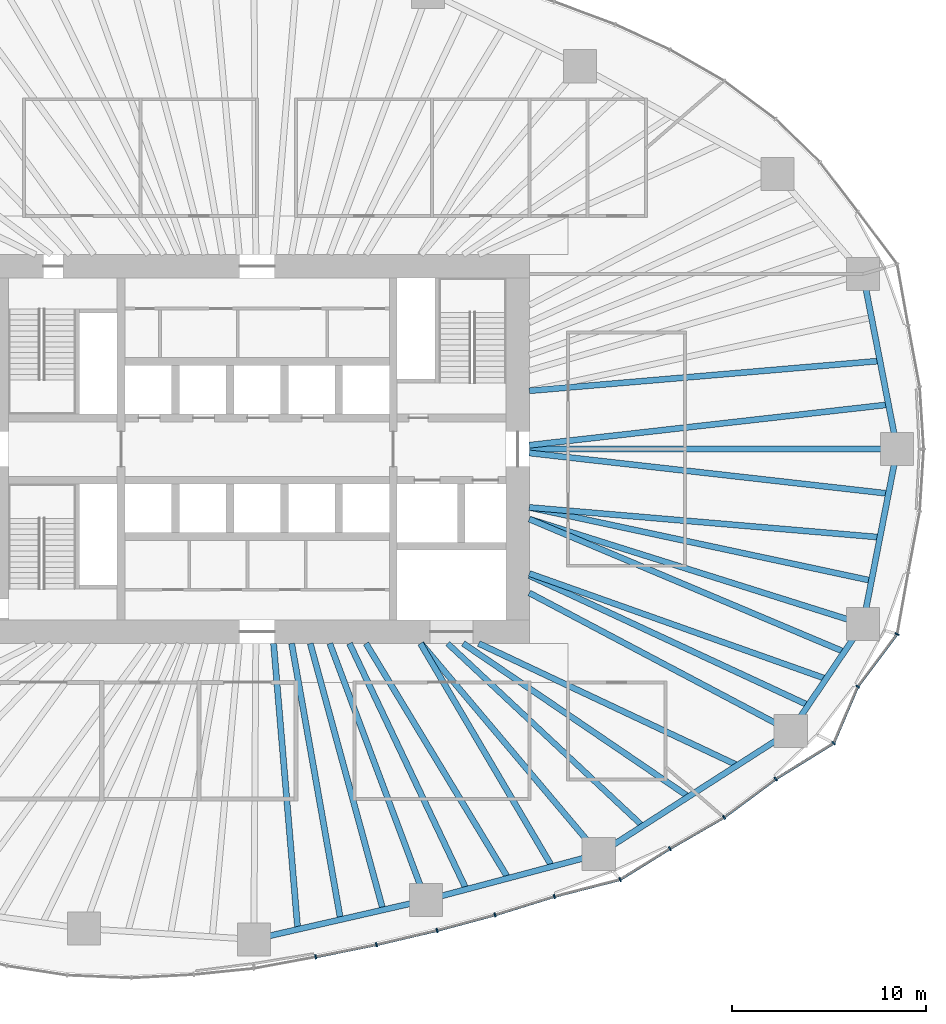
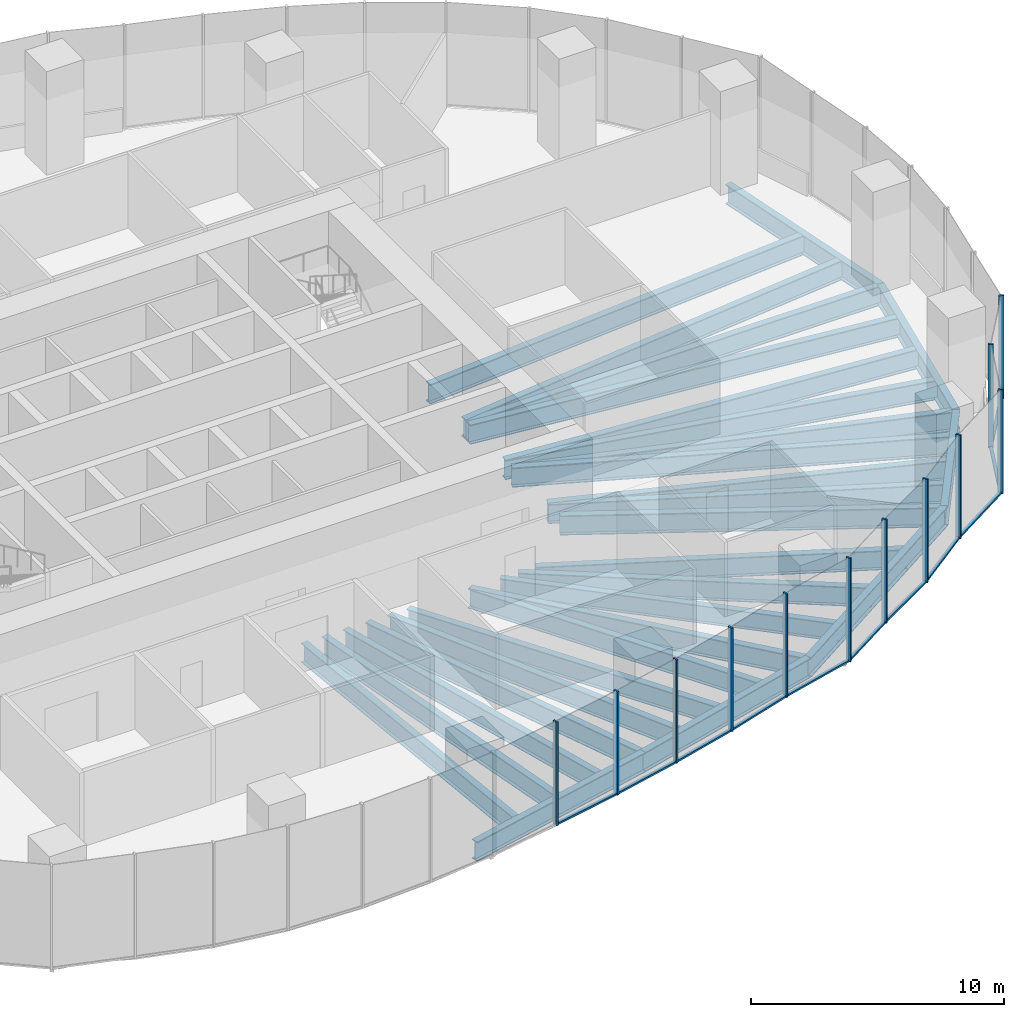
# One storey, part 4 of 19: 28 beams, 23 members, 5 elements without a shape of their own.
"""IFC4 building model written with IfcOpenShell, lengths in metres."""

from ifc_helpers import new_model, si_unit, direction, frame, origin, origin_2d, place, context, subcontext, project, spatial, rectangle, i_section, extrude, material, material_profile, profile_set, type_object, element, aggregate, save


model = new_model("IFC4")

# Units and contexts
model_context = context("Model", 3, precision=1e-05, world=origin(), true_north=direction((0.0, 1.0)))
body_context = subcontext(model_context, "Body", "Model", "MODEL_VIEW")
ifc_project = project(units=[si_unit("LENGTHUNIT", "METRE"), si_unit("AREAUNIT", "SQUARE_METRE"), si_unit("VOLUMEUNIT", "CUBIC_METRE"), si_unit("PLANEANGLEUNIT", "RADIAN"), si_unit("MASSUNIT", "GRAM", prefix="KILO")], contexts=[model_context])

# Site, building, storey
site_placement = place(None, origin())
site = spatial("IfcSite", under=ifc_project, at=site_placement, CompositionType="ELEMENT")
building_placement = place(site_placement, origin())
building = spatial("IfcBuilding", under=site, at=building_placement, Name="Ghaith Harvest Tower", CompositionType="ELEMENT")
storey_placement = place(building_placement, frame((0.0, 0.0, 70.0)))
storey = spatial("IfcBuildingStorey", under=building, at=storey_placement, Name="L14", CompositionType="ELEMENT", Elevation=70.0)

# Curtain wall, members
ifc_material_1 = material(Name="Black anodised aluminium and fritted glass", Category="aluminium")
curtain_wall_type = type_object("IfcCurtainWallType", Name="CW-F CURTAIN WALL", PredefinedType="NOTDEFINED", material=ifc_material_1)
curtain_wall_1_placement = place(storey_placement, origin())
curtain_wall_1 = element("IfcCurtainWall", 1, at=curtain_wall_1_placement, inside=storey, type_object=curtain_wall_type, Name="Curtain wall CW-F bay 16 L14", PredefinedType="NOTDEFINED")
ifc_material_2 = material(Name="Aluminium, black anodised", Category="aluminium")
ifc_material_profile_1 = material_profile(ifc_material_2, rectangle(XDim=0.080078125, YDim=0.219970703125, at=origin_2d()), Name="CW-F MULLION 80x220")
ifc_profile_set_1 = profile_set([ifc_material_profile_1], Name="Aluminium, black anodised")
member_type_1 = type_object("IfcMemberType", Name="CW-F MULLION 80x220", PredefinedType="MULLION", material=ifc_profile_set_1)
member_1_placement = place(storey_placement, frame((3.00927734375, -26.123291015625, 0.0), z_axis=(0.0, 0.0, 1.0), x_axis=(0.981818445714, 0.189822389762, 0.0)))
member_1 = element("IfcMember", 2, at=member_1_placement, type_object=member_type_1, Name="CW-F mullion 2 bay 16 L14", PredefinedType="MULLION", context=body_context, shape_type="SweptSolid", body=[
    extrude(rectangle(XDim=0.080078125, YDim=0.219970703125, at=origin_2d()), origin(), (0.0, 0.0, 1.0), 5.0),
])
member_2_placement = place(storey_placement, frame((6.136962890625, -25.495361328125, 0.0), z_axis=(0.0, 0.0, 1.0), x_axis=(0.977117973572, 0.212698062336, 0.0)))
member_2 = element("IfcMember", 3, at=member_2_placement, type_object=member_type_1, Name="CW-F mullion 3 bay 16 L14", PredefinedType="MULLION", context=body_context, shape_type="SweptSolid", body=[
    extrude(rectangle(XDim=0.080078125, YDim=0.219970703125, at=origin_2d()), origin(), (0.0, 0.0, 1.0), 5.0),
])

curtain_wall_2_placement = place(storey_placement, origin())
curtain_wall_2 = element("IfcCurtainWall", 4, at=curtain_wall_2_placement, inside=storey, type_object=curtain_wall_type, Name="Curtain wall CW-F bay 17 L14", PredefinedType="NOTDEFINED")
member_3_placement = place(storey_placement, frame((9.25732421875, -24.76318359375, 0.0), z_axis=(0.0, 0.0, 1.0), x_axis=(0.969903429248, 0.24348991341, 0.0)))
member_3 = element("IfcMember", 5, at=member_3_placement, type_object=member_type_1, Name="CW-F mullion 1 bay 17 L14", PredefinedType="MULLION", context=body_context, shape_type="SweptSolid", body=[
    extrude(rectangle(XDim=0.080078125, YDim=0.219970703125, at=origin_2d()), origin(), (0.0, 0.0, 1.0), 5.0),
])
member_4_placement = place(storey_placement, frame((12.234375, -23.964599609375, 0.0), z_axis=(0.0, 0.0, 1.0), x_axis=(0.960502189734, 0.278272426799, 0.0)))
member_4 = element("IfcMember", 6, at=member_4_placement, type_object=member_type_1, Name="CW-F mullion 2 bay 17 L14", PredefinedType="MULLION", context=body_context, shape_type="SweptSolid", body=[
    extrude(rectangle(XDim=0.080078125, YDim=0.219970703125, at=origin_2d()), origin(), (0.0, 0.0, 1.0), 5.0),
])
member_5_placement = place(storey_placement, frame((15.28759765625, -23.01611328125, 0.0), z_axis=(0.0, 0.0, 1.0), x_axis=(0.962313144018, 0.27194376781, 0.0)))
member_5 = element("IfcMember", 7, at=member_5_placement, type_object=member_type_1, Name="CW-F mullion 3 bay 17 L14", PredefinedType="MULLION", context=body_context, shape_type="SweptSolid", body=[
    extrude(rectangle(XDim=0.080078125, YDim=0.219970703125, at=origin_2d()), origin(), (0.0, 0.0, 1.0), 5.0),
])

curtain_wall_3_placement = place(storey_placement, origin())
curtain_wall_3 = element("IfcCurtainWall", 8, at=curtain_wall_3_placement, inside=storey, type_object=curtain_wall_type, Name="Curtain wall CW-F bay 18 L14", PredefinedType="NOTDEFINED")
member_6_placement = place(storey_placement, frame((18.674072265625, -22.144775390625, 0.0), z_axis=(0.0, 0.0, 1.0), x_axis=(0.923910199299, 0.382609387799, 0.0)))
member_6 = element("IfcMember", 9, at=member_6_placement, type_object=member_type_1, Name="CW-F mullion 1 bay 18 L14", PredefinedType="MULLION", context=body_context, shape_type="SweptSolid", body=[
    extrude(rectangle(XDim=0.080078125, YDim=0.219970703125, at=origin_2d()), origin(), (0.0, 0.0, 1.0), 5.0),
])
member_7_placement = place(storey_placement, frame((21.2353515625, -20.552978515625, 0.0), z_axis=(0.0, 0.0, 1.0), x_axis=(0.858140414942, 0.513415064293, 0.0)))
member_7 = element("IfcMember", 10, at=member_7_placement, type_object=member_type_1, Name="CW-F mullion 2 bay 18 L14", PredefinedType="MULLION", context=body_context, shape_type="SweptSolid", body=[
    extrude(rectangle(XDim=0.080078125, YDim=0.219970703125, at=origin_2d()), origin(), (0.0, 0.0, 1.0), 5.0),
])
member_8_placement = place(storey_placement, frame((24.018310546875, -18.947265625, 0.0), z_axis=(0.0, 0.0, 1.0), x_axis=(0.835443516838, 0.549576318788, 0.0)))
member_8 = element("IfcMember", 11, at=member_8_placement, type_object=member_type_1, Name="CW-F mullion 3 bay 18 L14", PredefinedType="MULLION", context=body_context, shape_type="SweptSolid", body=[
    extrude(rectangle(XDim=0.080078125, YDim=0.219970703125, at=origin_2d()), origin(), (0.0, 0.0, 1.0), 5.0),
])

curtain_wall_4_placement = place(storey_placement, origin())
curtain_wall_4 = element("IfcCurtainWall", 12, at=curtain_wall_4_placement, inside=storey, type_object=curtain_wall_type, Name="Curtain wall CW-F bay 19 L14", PredefinedType="NOTDEFINED")
member_9_placement = place(storey_placement, frame((26.673828125, -16.9755859375, 0.0), z_axis=(0.0, 0.0, 1.0), x_axis=(0.828002038115, 0.560725088504, 0.0)))
member_9 = element("IfcMember", 13, at=member_9_placement, type_object=member_type_1, Name="CW-F mullion 1 bay 19 L14", PredefinedType="MULLION", context=body_context, shape_type="SweptSolid", body=[
    extrude(rectangle(XDim=0.080078125, YDim=0.219970703125, at=origin_2d()), origin(), (0.0, 0.0, 1.0), 5.0),
])
member_10_placement = place(storey_placement, frame((29.659912109375, -15.126953125, 0.0), z_axis=(0.0, 0.0, 1.0), x_axis=(0.663604797505, 0.748083332743, 0.0)))
member_10 = element("IfcMember", 14, at=member_10_placement, type_object=member_type_1, Name="CW-F mullion 2 bay 19 L14", PredefinedType="MULLION", context=body_context, shape_type="SweptSolid", body=[
    extrude(rectangle(XDim=0.080078125, YDim=0.219970703125, at=origin_2d()), origin(), (0.0, 0.0, 1.0), 5.0),
])
member_11_placement = place(storey_placement, frame((30.896728515625, -12.215087890625, 0.0), z_axis=(0.0, 0.0, 1.0), x_axis=(0.5027946428, 0.864405892606, 0.0)))
member_11 = element("IfcMember", 15, at=member_11_placement, type_object=member_type_1, Name="CW-F mullion 3 bay 19 L14", PredefinedType="MULLION", context=body_context, shape_type="SweptSolid", body=[
    extrude(rectangle(XDim=0.080078125, YDim=0.219970703125, at=origin_2d()), origin(), (0.0, 0.0, 1.0), 5.0),
])

# Curtain wall, member
curtain_wall_5_placement = place(storey_placement, origin())
curtain_wall_5 = element("IfcCurtainWall", 16, at=curtain_wall_5_placement, inside=storey, type_object=curtain_wall_type, Name="Curtain wall CW-F bay 20 L14", PredefinedType="NOTDEFINED")
member_12_placement = place(storey_placement, frame((32.923583984375, -9.515625, 0.0), z_axis=(0.0, 0.0, 1.0), x_axis=(0.404701694001, 0.914448762301, 0.0)))
member_12 = element("IfcMember", 17, at=member_12_placement, type_object=member_type_1, Name="CW-F mullion 1 bay 20 L14", PredefinedType="MULLION", context=body_context, shape_type="SweptSolid", body=[
    extrude(rectangle(XDim=0.080078125, YDim=0.219970703125, at=origin_2d()), origin(), (0.0, 0.0, 1.0), 5.0),
])
aggregate(curtain_wall_5, [member_12])

# Member
ifc_material_3 = material(Name="Aluminium, black anodised", Category="aluminium")
ifc_material_profile_2 = material_profile(ifc_material_3, rectangle(XDim=0.139892578125, YDim=0.080078125, at=origin_2d()), Name="CW-F TRANSOM 140x80")
ifc_profile_set_2 = profile_set([ifc_material_profile_2], Name="Aluminium, black anodised")
member_type_2 = type_object("IfcMemberType", Name="CW-F TRANSOM 140x80", PredefinedType="USERDEFINED", material=ifc_profile_set_2)
member_13_placement = place(storey_placement, frame((3.04833984375, -26.115478515625, 0.0400390625), z_axis=(0.980432471193, 0.196855707129, 0.0), x_axis=(-0.196855707129, 0.980432471193, 0.0)))
member_13 = element("IfcMember", 18, at=member_13_placement, type_object=member_type_2, Name="CW-F transom 2 bay 16 L14", ObjectType="TRANSOM", PredefinedType="USERDEFINED", context=body_context, shape_type="SweptSolid", body=[
    extrude(rectangle(XDim=0.139892578125, YDim=0.080078125, at=origin_2d()), origin(), (0.0, 0.0, 1.0), 3.1103515625),
])

member_14_placement = place(storey_placement, frame((6.176025390625, -25.486083984375, 0.0400390625), z_axis=(0.973560415159, 0.228429678537, 0.0), x_axis=(-0.228429678537, 0.973560415159, 0.0)))
member_14 = element("IfcMember", 19, at=member_14_placement, type_object=member_type_2, Name="CW-F transom 3 bay 16 L14", ObjectType="TRANSOM", PredefinedType="USERDEFINED", context=body_context, shape_type="SweptSolid", body=[
    extrude(rectangle(XDim=0.139892578125, YDim=0.080078125, at=origin_2d()), origin(), (0.0, 0.0, 1.0), 3.125),
])

aggregate(curtain_wall_1, [member_1, member_13, member_2, member_14])

member_15_placement = place(storey_placement, frame((9.2958984375, -24.7529296875, 0.0400390625), z_axis=(0.965832908495, 0.259165570377, 0.0), x_axis=(-0.259165570377, 0.965832908495, 0.0)))
member_15 = element("IfcMember", 20, at=member_15_placement, type_object=member_type_2, Name="CW-F transom 1 bay 17 L14", ObjectType="TRANSOM", PredefinedType="USERDEFINED", context=body_context, shape_type="SweptSolid", body=[
    extrude(rectangle(XDim=0.139892578125, YDim=0.080078125, at=origin_2d()), origin(), (0.0, 0.0, 1.0), 3.002197265625),
])

member_16_placement = place(storey_placement, frame((12.2724609375, -23.95263671875, 0.0400390625), z_axis=(0.954998362353, 0.296611071781, 0.0), x_axis=(-0.296611071781, 0.954998362353, 0.0)))
member_16 = element("IfcMember", 21, at=member_16_placement, type_object=member_type_2, Name="CW-F transom 2 bay 17 L14", ObjectType="TRANSOM", PredefinedType="USERDEFINED", context=body_context, shape_type="SweptSolid", body=[
    extrude(rectangle(XDim=0.139892578125, YDim=0.080078125, at=origin_2d()), origin(), (0.0, 0.0, 1.0), 3.1171875),
])

member_17_placement = place(storey_placement, frame((15.326171875, -23.006103515625, 0.0400390625), z_axis=(0.968463874592, 0.249154015841, 0.0), x_axis=(-0.249154015841, 0.968463874592, 0.0)))
member_17 = element("IfcMember", 22, at=member_17_placement, type_object=member_type_2, Name="CW-F transom 3 bay 17 L14", ObjectType="TRANSOM", PredefinedType="USERDEFINED", context=body_context, shape_type="SweptSolid", body=[
    extrude(rectangle(XDim=0.139892578125, YDim=0.080078125, at=origin_2d()), origin(), (0.0, 0.0, 1.0), 3.416748046875),
])

aggregate(curtain_wall_2, [member_3, member_15, member_4, member_16, member_5, member_17])

member_18_placement = place(storey_placement, frame((18.7080078125, -22.12353515625, 0.0400390625), z_axis=(0.849383069026, 0.527776848726, 0.0), x_axis=(-0.527776848726, 0.849383069026, 0.0)))
member_18 = element("IfcMember", 23, at=member_18_placement, type_object=member_type_2, Name="CW-F transom 1 bay 18 L14", ObjectType="TRANSOM", PredefinedType="USERDEFINED", context=body_context, shape_type="SweptSolid", body=[
    extrude(rectangle(XDim=0.139892578125, YDim=0.080078125, at=origin_2d()), origin(), (0.0, 0.0, 1.0), 2.935546875),
])

member_19_placement = place(storey_placement, frame((21.27001953125, -20.532958984375, 0.0400390625), z_axis=(0.866168719914, 0.499751686983, 0.0), x_axis=(-0.499751686983, 0.866168719914, 0.0)))
member_19 = element("IfcMember", 24, at=member_19_placement, type_object=member_type_2, Name="CW-F transom 2 bay 18 L14", ObjectType="TRANSOM", PredefinedType="USERDEFINED", context=body_context, shape_type="SweptSolid", body=[
    extrude(rectangle(XDim=0.139892578125, YDim=0.080078125, at=origin_2d()), origin(), (0.0, 0.0, 1.0), 3.1328125),
])

member_20_placement = place(storey_placement, frame((24.050537109375, -18.92333984375, 0.0400390625), z_axis=(0.802877287823, 0.596144328748, 0.0), x_axis=(-0.596144328748, 0.802877287823, 0.0)))
member_20 = element("IfcMember", 25, at=member_20_placement, type_object=member_type_2, Name="CW-F transom 3 bay 18 L14", ObjectType="TRANSOM", PredefinedType="USERDEFINED", context=body_context, shape_type="SweptSolid", body=[
    extrude(rectangle(XDim=0.139892578125, YDim=0.080078125, at=origin_2d()), origin(), (0.0, 0.0, 1.0), 3.2275390625),
])

aggregate(curtain_wall_3, [member_6, member_18, member_7, member_19, member_8, member_20])

member_21_placement = place(storey_placement, frame((26.707763671875, -16.954345703125, 0.0400390625), z_axis=(0.850260598386, 0.526361961802, 0.0), x_axis=(-0.526361961802, 0.850260598386, 0.0)))
member_21 = element("IfcMember", 26, at=member_21_placement, type_object=member_type_2, Name="CW-F transom 1 bay 19 L14", ObjectType="TRANSOM", PredefinedType="USERDEFINED", context=body_context, shape_type="SweptSolid", body=[
    extrude(rectangle(XDim=0.139892578125, YDim=0.080078125, at=origin_2d()), origin(), (0.0, 0.0, 1.0), 3.431884765625),
])

member_22_placement = place(storey_placement, frame((29.675537109375, -15.090087890625, 0.0400390625), z_axis=(0.390936107494, 0.92041781809, 0.0), x_axis=(-0.92041781809, 0.390936107494, 0.0)))
member_22 = element("IfcMember", 27, at=member_22_placement, type_object=member_type_2, Name="CW-F transom 2 bay 19 L14", ObjectType="TRANSOM", PredefinedType="USERDEFINED", context=body_context, shape_type="SweptSolid", body=[
    extrude(rectangle(XDim=0.139892578125, YDim=0.080078125, at=origin_2d()), origin(), (0.0, 0.0, 1.0), 3.083740234375),
])

member_23_placement = place(storey_placement, frame((30.920654296875, -12.18310546875, 0.0400390625), z_axis=(0.600462135687, 0.799653189581, 0.0), x_axis=(-0.799653189581, 0.600462135687, 0.0)))
member_23 = element("IfcMember", 28, at=member_23_placement, type_object=member_type_2, Name="CW-F transom 3 bay 19 L14", ObjectType="TRANSOM", PredefinedType="USERDEFINED", context=body_context, shape_type="SweptSolid", body=[
    extrude(rectangle(XDim=0.139892578125, YDim=0.080078125, at=origin_2d()), origin(), (0.0, 0.0, 1.0), 3.2958984375),
])

aggregate(curtain_wall_4, [member_9, member_21, member_10, member_22, member_11, member_23])

# Beams
ifc_material_4 = material(Name="Steel ASTM A992 Grade 50", Category="steel")
ifc_material_profile_3 = material_profile(ifc_material_4, i_section(OverallWidth=0.306884765625, OverallDepth=0.94189453125, WebThickness=0.022216796875, FlangeThickness=0.039794921875, at=origin_2d()), Name="W920X345")
ifc_profile_set_3 = profile_set([ifc_material_profile_3], Name="Steel ASTM A992 Grade 50")
beam_type_1 = type_object("IfcBeamType", Name="E920-345 W920X345", PredefinedType="SPANDREL", material=ifc_profile_set_3)
beam_1_placement = place(storey_placement, frame((32.925048828125, 0.0, -0.6708984375), z_axis=(-0.191653479461, 0.981462655332, 0.0), x_axis=(-0.981462655332, -0.191653479461, 0.0)))
element("IfcBeam", 29, at=beam_1_placement, inside=storey, type_object=beam_type_1, Name="Edge beam E01 L14", PredefinedType="SPANDREL", context=body_context, shape_type="SweptSolid", body=[
    extrude(i_section(OverallWidth=0.306884765625, OverallDepth=0.94189453125, WebThickness=0.022216796875, FlangeThickness=0.039794921875, at=origin_2d()), origin(), (0.0, 0.0, 1.0), 9.17822265625),
])
beam_2_placement = place(storey_placement, frame((-0.173095703125, -25.22412109375, -0.6708984375), z_axis=(0.974881709383, 0.22272326486, 0.0), x_axis=(-0.22272326486, 0.974881709383, 0.0)))
element("IfcBeam", 30, at=beam_2_placement, inside=storey, type_object=beam_type_1, Name="Edge beam E16 L14", PredefinedType="SPANDREL", context=body_context, shape_type="SweptSolid", body=[
    extrude(i_section(OverallWidth=0.306884765625, OverallDepth=0.94189453125, WebThickness=0.022216796875, FlangeThickness=0.039794921875, at=origin_2d()), origin(), (0.0, 0.0, 1.0), 9.0751953125),
])
beam_3_placement = place(storey_placement, frame((8.674072265625, -23.202880859375, -0.6708984375), z_axis=(0.966419097109, 0.256971065963, 0.0), x_axis=(-0.256971065963, 0.966419097109, 0.0)))
element("IfcBeam", 31, at=beam_3_placement, inside=storey, type_object=beam_type_1, Name="Edge beam E17 L14", PredefinedType="SPANDREL", context=body_context, shape_type="SweptSolid", body=[
    extrude(i_section(OverallWidth=0.306884765625, OverallDepth=0.94189453125, WebThickness=0.022216796875, FlangeThickness=0.039794921875, at=origin_2d()), origin(), (0.0, 0.0, 1.0), 9.20703125),
])
beam_4_placement = place(storey_placement, frame((17.572021484375, -20.8369140625, -0.6708984375), z_axis=(0.842014649705, 0.539454659524, 0.0), x_axis=(-0.539454659524, 0.842014649705, 0.0)))
element("IfcBeam", 32, at=beam_4_placement, inside=storey, type_object=beam_type_1, Name="Edge beam E18 L14", PredefinedType="SPANDREL", context=body_context, shape_type="SweptSolid", body=[
    extrude(i_section(OverallWidth=0.306884765625, OverallDepth=0.94189453125, WebThickness=0.022216796875, FlangeThickness=0.039794921875, at=origin_2d()), origin(), (0.0, 0.0, 1.0), 11.730224609375),
])
beam_5_placement = place(storey_placement, frame((27.448974609375, -14.509033203125, -0.6708984375), z_axis=(0.559874470017, 0.828577442261, 0.0), x_axis=(-0.828577442261, 0.559874470017, 0.0)))
element("IfcBeam", 33, at=beam_5_placement, inside=storey, type_object=beam_type_1, Name="Edge beam E19 L14", PredefinedType="SPANDREL", context=body_context, shape_type="SweptSolid", body=[
    extrude(i_section(OverallWidth=0.306884765625, OverallDepth=0.94189453125, WebThickness=0.022216796875, FlangeThickness=0.039794921875, at=origin_2d()), origin(), (0.0, 0.0, 1.0), 6.63916015625),
])
beam_6_placement = place(storey_placement, frame((31.166015625, -9.008056640625, -0.6708984375), z_axis=(0.191653479461, 0.981462655332, 0.0), x_axis=(-0.981462655332, 0.191653479461, 0.0)))
element("IfcBeam", 34, at=beam_6_placement, inside=storey, type_object=beam_type_1, Name="Edge beam E20 L14", PredefinedType="SPANDREL", context=body_context, shape_type="SweptSolid", body=[
    extrude(i_section(OverallWidth=0.306884765625, OverallDepth=0.94189453125, WebThickness=0.022216796875, FlangeThickness=0.039794921875, at=origin_2d()), origin(), (0.0, 0.0, 1.0), 9.17822265625),
])
ifc_material_5 = material(Name="Steel ASTM A992 Grade 50", Category="steel")
ifc_material_profile_4 = material_profile(ifc_material_5, i_section(OverallWidth=0.306884765625, OverallDepth=0.94189453125, WebThickness=0.022216796875, FlangeThickness=0.039794921875, at=origin_2d()), Name="W920X345")
ifc_profile_set_4 = profile_set([ifc_material_profile_4], Name="Steel ASTM A992 Grade 50")
beam_type_2 = type_object("IfcBeamType", Name="G920-345 W920X345", PredefinedType="BEAM", material=ifc_profile_set_4)
beam_7_placement = place(storey_placement, frame((14.0, 0.0, -0.6708984375), z_axis=(1.0, 0.0, 0.0), x_axis=(0.0, 1.0, 0.0)))
element("IfcBeam", 35, at=beam_7_placement, inside=storey, type_object=beam_type_2, Name="Radial girder G01 L14", PredefinedType="BEAM", context=body_context, shape_type="SweptSolid", body=[
    extrude(i_section(OverallWidth=0.306884765625, OverallDepth=0.94189453125, WebThickness=0.022216796875, FlangeThickness=0.039794921875, at=origin_2d()), origin(), (0.0, 0.0, 1.0), 18.925048828125),
])
beam_8_placement = place(storey_placement, frame((3.73828125, -10.0, -0.6708984375), z_axis=(0.350172283717, -0.936685310932, 0.0), x_axis=(0.936685310932, 0.350172283717, 0.0)))
element("IfcBeam", 36, at=beam_8_placement, inside=storey, type_object=beam_type_2, Name="Radial girder G17 L14", PredefinedType="BEAM", context=body_context, shape_type="SweptSolid", body=[
    extrude(i_section(OverallWidth=0.306884765625, OverallDepth=0.94189453125, WebThickness=0.022216796875, FlangeThickness=0.039794921875, at=origin_2d()), origin(), (0.0, 0.0, 1.0), 14.09521484375),
])
beam_9_placement = place(storey_placement, frame((8.4326171875, -10.0, -0.6708984375), z_axis=(0.644696130938, -0.764438943771, 0.0), x_axis=(0.764438943771, 0.644696130938, 0.0)))
element("IfcBeam", 37, at=beam_9_placement, inside=storey, type_object=beam_type_2, Name="Radial girder G18 L14", PredefinedType="BEAM", context=body_context, shape_type="SweptSolid", body=[
    extrude(i_section(OverallWidth=0.306884765625, OverallDepth=0.94189453125, WebThickness=0.022216796875, FlangeThickness=0.039794921875, at=origin_2d()), origin(), (0.0, 0.0, 1.0), 14.17626953125),
])
beam_10_placement = place(storey_placement, frame((14.0, -7.39990234375, -0.6708984375), z_axis=(0.884084425997, -0.467327216959, 0.0), x_axis=(0.467327216959, 0.884084425997, 0.0)))
element("IfcBeam", 38, at=beam_10_placement, inside=storey, type_object=beam_type_2, Name="Radial girder G19 L14", PredefinedType="BEAM", context=body_context, shape_type="SweptSolid", body=[
    extrude(i_section(OverallWidth=0.306884765625, OverallDepth=0.94189453125, WebThickness=0.022216796875, FlangeThickness=0.039794921875, at=origin_2d()), origin(), (0.0, 0.0, 1.0), 15.21240234375),
])
beam_11_placement = place(storey_placement, frame((14.0, -3.60009765625, -0.6708984375), z_axis=(0.953788071692, -0.300480139607, 0.0), x_axis=(0.300480139607, 0.953788071692, 0.0)))
element("IfcBeam", 39, at=beam_11_placement, inside=storey, type_object=beam_type_2, Name="Radial girder G20 L14", PredefinedType="BEAM", context=body_context, shape_type="SweptSolid", body=[
    extrude(i_section(OverallWidth=0.306884765625, OverallDepth=0.94189453125, WebThickness=0.022216796875, FlangeThickness=0.039794921875, at=origin_2d()), origin(), (0.0, 0.0, 1.0), 17.997802734375),
])
ifc_material_6 = material(Name="Steel ASTM A992 Grade 50", Category="steel")
ifc_material_profile_5 = material_profile(ifc_material_6, i_section(OverallWidth=0.2939453125, OverallDepth=0.85107421875, WebThickness=0.01611328125, FlangeThickness=0.02685546875, at=origin_2d()), Name="W840X226")
ifc_profile_set_5 = profile_set([ifc_material_profile_5], Name="Steel ASTM A992 Grade 50")
beam_type_3 = type_object("IfcBeamType", Name="J840-226 W840X226", PredefinedType="JOIST", material=ifc_profile_set_5)
beam_12_placement = place(storey_placement, frame((9.800048828125, -10.0, -0.62548828125), z_axis=(0.72994990542, -0.683500647825, 0.0), x_axis=(0.683500647825, 0.72994990542, 0.0)))
element("IfcBeam", 40, at=beam_12_placement, inside=storey, type_object=beam_type_3, Name="Joist J18.1 L14", PredefinedType="JOIST", context=body_context, shape_type="SweptSolid", body=[
    extrude(i_section(OverallWidth=0.2939453125, OverallDepth=0.85107421875, WebThickness=0.01611328125, FlangeThickness=0.02685546875, at=origin_2d()), origin(), (0.0, 0.0, 1.0), 13.7392578125),
])
ifc_material_7 = material(Name="Steel ASTM A992 Grade 50", Category="steel")
ifc_material_profile_6 = material_profile(ifc_material_7, i_section(OverallWidth=0.31005859375, OverallDepth=0.927001953125, WebThickness=0.019287109375, FlangeThickness=0.031982421875, at=origin_2d()), Name="W920X289")
ifc_profile_set_6 = profile_set([ifc_material_profile_6], Name="Steel ASTM A992 Grade 50")
beam_type_4 = type_object("IfcBeamType", Name="J920-289 W920X289", PredefinedType="JOIST", material=ifc_profile_set_6)
beam_13_placement = place(storey_placement, frame((0.844970703125, -10.0, -0.66357421875), z_axis=(0.084208979751, -0.996448115924, 0.0), x_axis=(0.996448115924, 0.084208979751, 0.0)))
element("IfcBeam", 41, at=beam_13_placement, inside=storey, type_object=beam_type_4, Name="Joist J16.1 L14", PredefinedType="JOIST", context=body_context, shape_type="SweptSolid", body=[
    extrude(i_section(OverallWidth=0.31005859375, OverallDepth=0.927001953125, WebThickness=0.019287109375, FlangeThickness=0.031982421875, at=origin_2d()), origin(), (0.0, 0.0, 1.0), 14.760009765625),
])
beam_14_placement = place(storey_placement, frame((1.772705078125, -10.0, -0.66357421875), z_axis=(0.174552818486, -0.98464781194, 0.0), x_axis=(0.98464781194, 0.174552818486, 0.0)))
element("IfcBeam", 42, at=beam_14_placement, inside=storey, type_object=beam_type_4, Name="Joist J16.2 L14", PredefinedType="JOIST", context=body_context, shape_type="SweptSolid", body=[
    extrude(i_section(OverallWidth=0.31005859375, OverallDepth=0.927001953125, WebThickness=0.019287109375, FlangeThickness=0.031982421875, at=origin_2d()), origin(), (0.0, 0.0, 1.0), 14.42578125),
])
beam_15_placement = place(storey_placement, frame((2.73095703125, -10.0, -0.66357421875), z_axis=(0.263463446032, -0.964669379946, 0.0), x_axis=(0.964669379946, 0.263463446032, 0.0)))
element("IfcBeam", 43, at=beam_15_placement, inside=storey, type_object=beam_type_4, Name="Joist J16.3 L14", PredefinedType="JOIST", context=body_context, shape_type="SweptSolid", body=[
    extrude(i_section(OverallWidth=0.31005859375, OverallDepth=0.927001953125, WebThickness=0.019287109375, FlangeThickness=0.031982421875, at=origin_2d()), origin(), (0.0, 0.0, 1.0), 14.20751953125),
])
beam_16_placement = place(storey_placement, frame((4.75, -10.0, -0.66357421875), z_axis=(0.429067127754, -0.903272605519, 0.0), x_axis=(0.903272605519, 0.429067127754, 0.0)))
element("IfcBeam", 44, at=beam_16_placement, inside=storey, type_object=beam_type_4, Name="Joist J17.1 L14", PredefinedType="JOIST", context=body_context, shape_type="SweptSolid", body=[
    extrude(i_section(OverallWidth=0.31005859375, OverallDepth=0.927001953125, WebThickness=0.019287109375, FlangeThickness=0.031982421875, at=origin_2d()), origin(), (0.0, 0.0, 1.0), 14.003173828125),
])
beam_17_placement = place(storey_placement, frame((5.60009765625, -10.0, -0.66357421875), z_axis=(0.517828660199, -0.855484353262, 0.0), x_axis=(0.855484353262, 0.517828660199, 0.0)))
element("IfcBeam", 45, at=beam_17_placement, inside=storey, type_object=beam_type_4, Name="Joist J17.2 L14", PredefinedType="JOIST", context=body_context, shape_type="SweptSolid", body=[
    extrude(i_section(OverallWidth=0.31005859375, OverallDepth=0.927001953125, WebThickness=0.019287109375, FlangeThickness=0.031982421875, at=origin_2d()), origin(), (0.0, 0.0, 1.0), 14.11669921875),
])
beam_18_placement = place(storey_placement, frame((8.39990234375, -10.0, -0.66357421875), z_axis=(0.507894375661, -0.861419353841, 0.0), x_axis=(0.861419353841, 0.507894375661, 0.0)))
element("IfcBeam", 46, at=beam_18_placement, inside=storey, type_object=beam_type_4, Name="Joist J17.3 L14", PredefinedType="JOIST", context=body_context, shape_type="SweptSolid", body=[
    extrude(i_section(OverallWidth=0.31005859375, OverallDepth=0.927001953125, WebThickness=0.019287109375, FlangeThickness=0.031982421875, at=origin_2d()), origin(), (0.0, 0.0, 1.0), 13.32275390625),
])
beam_19_placement = place(storey_placement, frame((10.60009765625, -10.0, -0.66357421875), z_axis=(0.826982555637, -0.562227580853, 0.0), x_axis=(0.562227580853, 0.826982555637, 0.0)))
element("IfcBeam", 47, at=beam_19_placement, inside=storey, type_object=beam_type_4, Name="Joist J18.2 L14", PredefinedType="JOIST", context=body_context, shape_type="SweptSolid", body=[
    extrude(i_section(OverallWidth=0.31005859375, OverallDepth=0.927001953125, WebThickness=0.019287109375, FlangeThickness=0.031982421875, at=origin_2d()), origin(), (0.0, 0.0, 1.0), 14.013671875),
])
beam_20_placement = place(storey_placement, frame((11.39990234375, -10.0, -0.66357421875), z_axis=(0.904709580205, -0.426028843489, 0.0), x_axis=(0.426028843489, 0.904709580205, 0.0)))
element("IfcBeam", 48, at=beam_20_placement, inside=storey, type_object=beam_type_4, Name="Joist J18.3 L14", PredefinedType="JOIST", context=body_context, shape_type="SweptSolid", body=[
    extrude(i_section(OverallWidth=0.31005859375, OverallDepth=0.927001953125, WebThickness=0.019287109375, FlangeThickness=0.031982421875, at=origin_2d()), origin(), (0.0, 0.0, 1.0), 14.708251953125),
])
beam_21_placement = place(storey_placement, frame((14.0, -6.506103515625, -0.66357421875), z_axis=(0.906865804441, -0.421419521067, 0.0), x_axis=(0.421419521067, 0.906865804441, 0.0)))
element("IfcBeam", 49, at=beam_21_placement, inside=storey, type_object=beam_type_4, Name="Joist J19.1 L14", PredefinedType="JOIST", context=body_context, shape_type="SweptSolid", body=[
    extrude(i_section(OverallWidth=0.31005859375, OverallDepth=0.927001953125, WebThickness=0.019287109375, FlangeThickness=0.031982421875, at=origin_2d()), origin(), (0.0, 0.0, 1.0), 15.824462890625),
])
ifc_material_8 = material(Name="Steel ASTM A992 Grade 50", Category="steel")
ifc_material_profile_7 = material_profile(ifc_material_8, i_section(OverallWidth=0.306884765625, OverallDepth=0.94189453125, WebThickness=0.022216796875, FlangeThickness=0.039794921875, at=origin_2d()), Name="W920X345")
ifc_profile_set_7 = profile_set([ifc_material_profile_7], Name="Steel ASTM A992 Grade 50")
beam_type_5 = type_object("IfcBeamType", Name="J920-345 W920X345", PredefinedType="JOIST", material=ifc_profile_set_7)
beam_22_placement = place(storey_placement, frame((14.0, 0.199951171875, -0.6708984375), z_axis=(0.993675458798, 0.112290171352, 0.0), x_axis=(-0.112290171352, 0.993675458798, 0.0)))
element("IfcBeam", 50, at=beam_22_placement, inside=storey, type_object=beam_type_5, Name="Joist J01.1 L14", PredefinedType="JOIST", context=body_context, shape_type="SweptSolid", body=[
    extrude(i_section(OverallWidth=0.306884765625, OverallDepth=0.94189453125, WebThickness=0.022216796875, FlangeThickness=0.039794921875, at=origin_2d()), origin(), (0.0, 0.0, 1.0), 18.595947265625),
])
beam_23_placement = place(storey_placement, frame((14.0, 3.0, -0.6708984375), z_axis=(0.996389274474, 0.084902377546, 0.0), x_axis=(-0.084902377546, 0.996389274474, 0.0)))
element("IfcBeam", 51, at=beam_23_placement, inside=storey, type_object=beam_type_5, Name="Joist J01.2 L14", PredefinedType="JOIST", context=body_context, shape_type="SweptSolid", body=[
    extrude(i_section(OverallWidth=0.306884765625, OverallDepth=0.94189453125, WebThickness=0.022216796875, FlangeThickness=0.039794921875, at=origin_2d()), origin(), (0.0, 0.0, 1.0), 18.1044921875),
])
beam_24_placement = place(storey_placement, frame((14.0, -6.39990234375, -0.6708984375), z_axis=(0.942399857711, -0.334488427581, 0.0), x_axis=(0.334488427581, 0.942399857711, 0.0)))
element("IfcBeam", 52, at=beam_24_placement, inside=storey, type_object=beam_type_5, Name="Joist J19.2 L14", PredefinedType="JOIST", context=body_context, shape_type="SweptSolid", body=[
    extrude(i_section(OverallWidth=0.306884765625, OverallDepth=0.94189453125, WebThickness=0.022216796875, FlangeThickness=0.039794921875, at=origin_2d()), origin(), (0.0, 0.0, 1.0), 16.199951171875),
])
beam_25_placement = place(storey_placement, frame((14.0, -3.60009765625, -0.6708984375), z_axis=(0.921432978784, -0.388537341333, 0.0), x_axis=(0.388537341333, 0.921432978784, 0.0)))
element("IfcBeam", 53, at=beam_25_placement, inside=storey, type_object=beam_type_5, Name="Joist J19.3 L14", PredefinedType="JOIST", context=body_context, shape_type="SweptSolid", body=[
    extrude(i_section(OverallWidth=0.306884765625, OverallDepth=0.94189453125, WebThickness=0.022216796875, FlangeThickness=0.039794921875, at=origin_2d()), origin(), (0.0, 0.0, 1.0), 17.585205078125),
])
beam_26_placement = place(storey_placement, frame((14.0, -3.0, -0.6708984375), z_axis=(0.977831380626, -0.209393865869, 0.0), x_axis=(0.209393865869, 0.977831380626, 0.0)))
element("IfcBeam", 54, at=beam_26_placement, inside=storey, type_object=beam_type_5, Name="Joist J20.1 L14", PredefinedType="JOIST", context=body_context, shape_type="SweptSolid", body=[
    extrude(i_section(OverallWidth=0.306884765625, OverallDepth=0.94189453125, WebThickness=0.022216796875, FlangeThickness=0.039794921875, at=origin_2d()), origin(), (0.0, 0.0, 1.0), 18.002197265625),
])
beam_27_placement = place(storey_placement, frame((14.0, -3.0, -0.6708984375), z_axis=(0.996389274474, -0.084902377546, 0.0), x_axis=(0.084902377546, 0.996389274474, 0.0)))
element("IfcBeam", 55, at=beam_27_placement, inside=storey, type_object=beam_type_5, Name="Joist J20.2 L14", PredefinedType="JOIST", context=body_context, shape_type="SweptSolid", body=[
    extrude(i_section(OverallWidth=0.306884765625, OverallDepth=0.94189453125, WebThickness=0.022216796875, FlangeThickness=0.039794921875, at=origin_2d()), origin(), (0.0, 0.0, 1.0), 18.1044921875),
])
beam_28_placement = place(storey_placement, frame((14.0, -0.199951171875, -0.6708984375), z_axis=(0.993675458798, -0.112290171352, 0.0), x_axis=(0.112290171352, 0.993675458798, 0.0)))
element("IfcBeam", 56, at=beam_28_placement, inside=storey, type_object=beam_type_5, Name="Joist J20.3 L14", PredefinedType="JOIST", context=body_context, shape_type="SweptSolid", body=[
    extrude(i_section(OverallWidth=0.306884765625, OverallDepth=0.94189453125, WebThickness=0.022216796875, FlangeThickness=0.039794921875, at=origin_2d()), origin(), (0.0, 0.0, 1.0), 18.595947265625),
])

save(model, "model.ifc")
